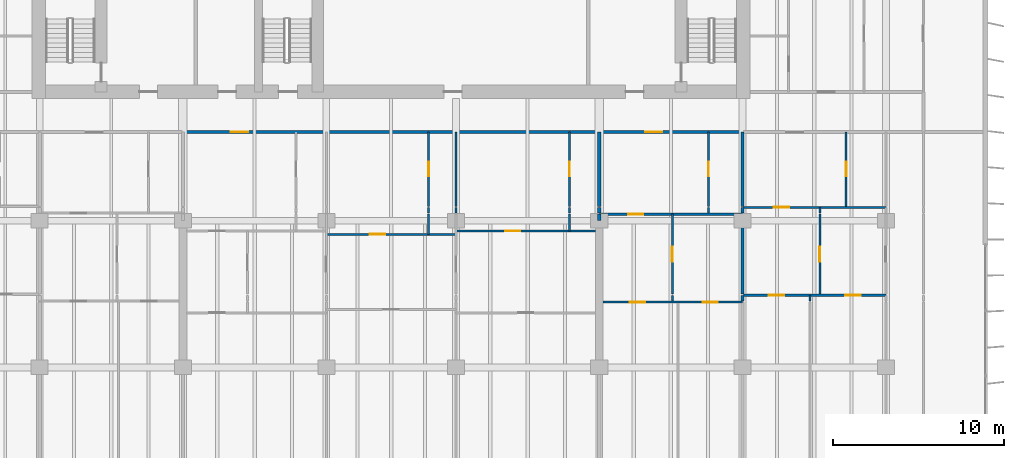
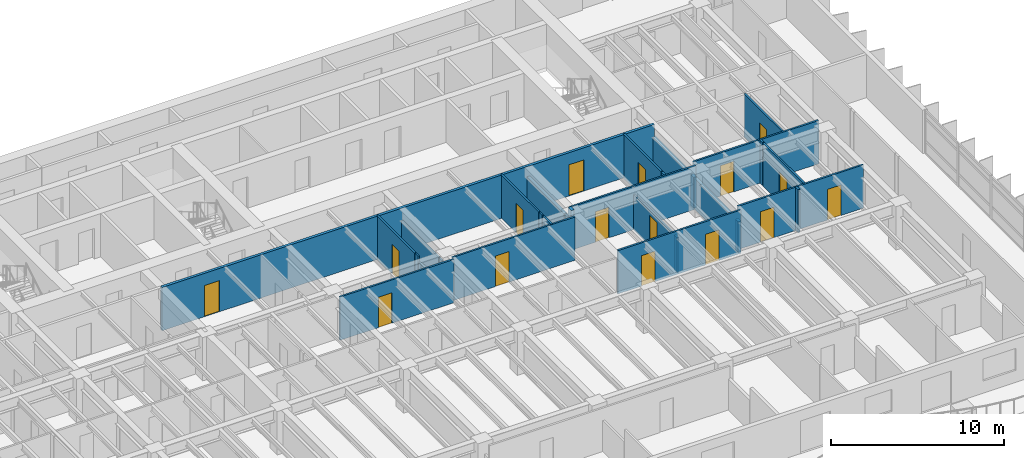
# One storey, part 9 of 17: 30 walls, 16 doors, 16 openings.
"""IFC4 building model written with IfcOpenShell, lengths in metres."""

from ifc_helpers import new_model, si_unit, direction, frame, frame_2d, origin, place, context, subcontext, project, spatial, rectangle, extrude, material, layer, layer_set, type_object, element, fill, save


model = new_model("IFC4")

# Units and contexts
model_context = context("Model", 3, precision=1e-05, world=origin(), true_north=direction((0.0, 1.0)))
body_context = subcontext(model_context, "Body", "Model", "MODEL_VIEW")
ifc_project = project(units=[si_unit("LENGTHUNIT", "METRE"), si_unit("AREAUNIT", "SQUARE_METRE"), si_unit("VOLUMEUNIT", "CUBIC_METRE"), si_unit("PLANEANGLEUNIT", "RADIAN"), si_unit("MASSUNIT", "GRAM", prefix="KILO")], contexts=[model_context])

# Site, building, storey
site_placement = place(None, origin())
site = spatial("IfcSite", under=ifc_project, at=site_placement, CompositionType="ELEMENT")
building_placement = place(site_placement, origin())
building = spatial("IfcBuilding", under=site, at=building_placement, Name="Caelmar Bay Residences", CompositionType="ELEMENT")
storey_placement = place(building_placement, frame((0.0, 0.0, 109.199951171875)))
storey = spatial("IfcBuildingStorey", under=building, at=storey_placement, Name="L29", CompositionType="ELEMENT", Elevation=109.199951171875)

# Wall, openings, doors
ifc_material_1 = material(Name="Double-stud acoustic fire-rated gypsum partition 180 mm")
ifc_layer_1 = layer(ifc_material_1, 0.179931640625)
ifc_layer_set_1 = layer_set([ifc_layer_1], Name="Double-stud acoustic fire-rated gypsum partition 180 mm")
wall_type_1 = type_object("IfcWallType", Name="W-COR-200", PredefinedType="PARTITIONING", material=ifc_layer_set_1)
wall_1_placement = place(storey_placement, frame((26.699951171875, 34.60009765625, 0.0), z_axis=(0.0, 0.0, 1.0), x_axis=(1.0, 0.0, 0.0)))
wall_1 = element("IfcWall", 1, at=wall_1_placement, inside=storey, type_object=wall_type_1, Name="L29 Partition Wall H142", PredefinedType="PARTITIONING", context=body_context, shape_type="SweptSolid", body=[
    extrude(rectangle(XDim=32.800048828125, YDim=0.179931640625, at=frame_2d((16.39990234375, 0.0))), origin(), (0.0, 0.0, 1.0), 3.050048828125),
])
opening_1_placement = place(wall_1_placement, frame((2.81201171875, 0.0, 0.0)))
opening_1 = element("IfcOpeningElement", 2, at=opening_1_placement, cuts=wall_1, Name="Opening D-L29-139", PredefinedType="OPENING", context=body_context, shape_type="SweptSolid", body=[
    extrude(rectangle(XDim=1.0, YDim=2.199951171875, at=frame_2d((0.5, 1.10009765625))), frame((0.0, 0.099853515625, 0.0), z_axis=(0.0, -1.0, 0.0), x_axis=(1.0, 0.0, 0.0)), (0.0, 0.0, 1.0), 0.199951171875),
])
opening_2_placement = place(wall_1_placement, frame((27.10400390625, 0.0, 0.0)))
opening_2 = element("IfcOpeningElement", 3, at=opening_2_placement, cuts=wall_1, Name="Opening D-L29-154", PredefinedType="OPENING", context=body_context, shape_type="SweptSolid", body=[
    extrude(rectangle(XDim=1.0, YDim=2.199951171875, at=frame_2d((0.5, 1.10009765625))), frame((0.0, 0.099853515625, 0.0), z_axis=(0.0, -1.0, 0.0), x_axis=(1.0, 0.0, 0.0)), (0.0, 0.0, 1.0), 0.199951171875),
])
ifc_material_2 = material(Name="Fire-rated steel and walnut architectural door assembly", Category="steel")
ifc_layer_2 = layer(ifc_material_2, 0.050048828125)
ifc_layer_set_2 = layer_set([ifc_layer_2], Name="Fire-rated steel and walnut architectural door assembly")
door_type_1 = type_object("IfcDoorType", Name="D-UNIT-1000", OperationType="NOTDEFINED", PredefinedType="DOOR", material=ifc_layer_set_2)
door_1_placement = place(opening_1_placement, origin())
door_1 = element("IfcDoor", 4, at=door_1_placement, inside=storey, type_object=door_type_1, Name="L29 Residence 03 Apartment Hall Door", OperationType="SINGLE_SWING_LEFT", OverallHeight=2.199951171875, OverallWidth=1.0, PredefinedType="DOOR", context=body_context, shape_type="SweptSolid", body=[
    extrude(rectangle(XDim=1.0, YDim=2.199951171875, at=frame_2d((0.5, 1.10009765625))), frame((0.0, 0.02490234375, 0.0), z_axis=(0.0, -1.0, 0.0), x_axis=(1.0, 0.0, 0.0)), (0.0, 0.0, 1.0), 0.050048828125),
])
fill(opening_1, door_1)
door_2_placement = place(opening_2_placement, origin())
door_2 = element("IfcDoor", 5, at=door_2_placement, inside=storey, type_object=door_type_1, Name="L29 Residence 04 Apartment Hall Door", OperationType="SINGLE_SWING_RIGHT", OverallHeight=2.199951171875, OverallWidth=1.0, PredefinedType="DOOR", context=body_context, shape_type="SweptSolid", body=[
    extrude(rectangle(XDim=1.0, YDim=2.199951171875, at=frame_2d((0.5, 1.10009765625))), frame((0.0, 0.02490234375, 0.0), z_axis=(0.0, -1.0, 0.0), x_axis=(1.0, 0.0, 0.0)), (0.0, 0.0, 1.0), 0.050048828125),
])
fill(opening_2, door_2)

# Walls
ifc_material_3 = material(Name="Acoustic metal-stud gypsum partition 120 mm")
ifc_layer_3 = layer(ifc_material_3, 0.1201171875)
ifc_layer_set_3 = layer_set([ifc_layer_3], Name="Acoustic metal-stud gypsum partition 120 mm")
wall_type_2 = type_object("IfcWallType", Name="W-PRT-120", PredefinedType="PARTITIONING", material=ifc_layer_set_3)
wall_2_placement = place(storey_placement, frame((41.10009765625, 28.60009765625, 0.0), z_axis=(0.0, 0.0, 1.0), x_axis=(0.0, 1.0, 0.0)))
element("IfcWall", 6, at=wall_2_placement, inside=storey, type_object=wall_type_2, Name="L29 Partition Wall V060", PredefinedType="PARTITIONING", context=body_context, shape_type="SweptSolid", body=[
    extrude(rectangle(XDim=1.179931640625, YDim=0.1201171875, at=frame_2d((0.58984375, 0.0))), origin(), (0.0, 0.0, 1.0), 2.678955078125),
])
wall_3_placement = place(storey_placement, frame((41.10009765625, 29.840087890625, 0.0), z_axis=(0.0, 0.0, 1.0), x_axis=(0.0, 1.0, 0.0)))
element("IfcWall", 7, at=wall_3_placement, inside=storey, type_object=wall_type_2, Name="L29 Partition Wall V061", PredefinedType="PARTITIONING", context=body_context, shape_type="SweptSolid", body=[
    extrude(rectangle(XDim=0.33984375, YDim=0.1201171875, at=frame_2d((0.169921875, 0.0))), origin(), (0.0, 0.0, 1.0), 3.050048828125),
])

# Wall, opening, door
wall_4_placement = place(storey_placement, frame((41.10009765625, 30.239990234375, 0.0), z_axis=(0.0, 0.0, 1.0), x_axis=(0.0, 1.0, 0.0)))
wall_4 = element("IfcWall", 8, at=wall_4_placement, inside=storey, type_object=wall_type_2, Name="L29 Partition Wall V062", PredefinedType="PARTITIONING", context=body_context, shape_type="SweptSolid", body=[
    extrude(rectangle(XDim=4.360107421875, YDim=0.1201171875, at=frame_2d((2.18017578125, 0.0))), origin(), (0.0, 0.0, 1.0), 3.050048828125),
])
opening_3_placement = place(wall_4_placement, frame((1.7548828125, 0.0, 0.0)))
opening_3 = element("IfcOpeningElement", 9, at=opening_3_placement, cuts=wall_4, Name="Opening D-L29-146", PredefinedType="OPENING", context=body_context, shape_type="SweptSolid", body=[
    extrude(rectangle(XDim=0.85009765625, YDim=2.10009765625, at=frame_2d((0.425048828125, 1.050048828125))), frame((0.0, 0.070068359375, 0.0), z_axis=(0.0, -1.0, 0.0), x_axis=(1.0, 0.0, 0.0)), (0.0, 0.0, 1.0), 0.14013671875),
])
ifc_material_4 = material(Name="Solid walnut timber interior door leaf and frame", Category="wood")
ifc_layer_4 = layer(ifc_material_4, 0.050048828125)
ifc_layer_set_4 = layer_set([ifc_layer_4], Name="Solid walnut timber interior door leaf and frame")
door_type_2 = type_object("IfcDoorType", Name="D-BATH-850", OperationType="NOTDEFINED", PredefinedType="DOOR", material=ifc_layer_set_4)
door_3_placement = place(opening_3_placement, origin())
door_3 = element("IfcDoor", 10, at=door_3_placement, inside=storey, type_object=door_type_2, Name="L29 Residence 03 En-Suite Bathroom 1 Door", OperationType="SINGLE_SWING_RIGHT", OverallHeight=2.10009765625, OverallWidth=0.85009765625, PredefinedType="DOOR", context=body_context, shape_type="SweptSolid", body=[
    extrude(rectangle(XDim=0.85009765625, YDim=2.10009765625, at=frame_2d((0.425048828125, 1.050048828125))), frame((0.0, 0.02490234375, 0.0), z_axis=(0.0, -1.0, 0.0), x_axis=(1.0, 0.0, 0.0)), (0.0, 0.0, 1.0), 0.050048828125),
])
fill(opening_3, door_3)

# Walls
wall_5_placement = place(storey_placement, frame((42.699951171875, 29.840087890625, 0.0), z_axis=(0.0, 0.0, 1.0), x_axis=(0.0, 1.0, 0.0)))
element("IfcWall", 11, at=wall_5_placement, inside=storey, type_object=wall_type_2, Name="L29 Partition Wall V067", PredefinedType="PARTITIONING", context=body_context, shape_type="SweptSolid", body=[
    extrude(rectangle(XDim=0.33984375, YDim=0.1201171875, at=frame_2d((0.169921875, 0.0))), origin(), (0.0, 0.0, 1.0), 2.174072265625),
])
wall_6_placement = place(storey_placement, frame((42.699951171875, 30.239990234375, 0.0), z_axis=(0.0, 0.0, 1.0), x_axis=(0.0, 1.0, 0.0)))
element("IfcWall", 12, at=wall_6_placement, inside=storey, type_object=wall_type_2, Name="L29 Partition Wall V068", PredefinedType="PARTITIONING", context=body_context, shape_type="SweptSolid", body=[
    extrude(rectangle(XDim=4.360107421875, YDim=0.1201171875, at=frame_2d((2.18017578125, 0.0))), origin(), (0.0, 0.0, 1.0), 2.174072265625),
])
wall_7_placement = place(storey_placement, frame((49.35888671875, 28.800048828125, 0.0), z_axis=(0.0, 0.0, 1.0), x_axis=(0.0, 1.0, 0.0)))
element("IfcWall", 13, at=wall_7_placement, inside=storey, type_object=wall_type_2, Name="L29 Partition Wall V073", PredefinedType="PARTITIONING", context=body_context, shape_type="SweptSolid", body=[
    extrude(rectangle(XDim=0.97998046875, YDim=0.1201171875, at=frame_2d((0.489990234375, 0.0))), origin(), (0.0, 0.0, 1.0), 3.050048828125),
])
wall_8_placement = place(storey_placement, frame((49.35888671875, 29.840087890625, 0.0), z_axis=(0.0, 0.0, 1.0), x_axis=(0.0, 1.0, 0.0)))
element("IfcWall", 14, at=wall_8_placement, inside=storey, type_object=wall_type_2, Name="L29 Partition Wall V074", PredefinedType="PARTITIONING", context=body_context, shape_type="SweptSolid", body=[
    extrude(rectangle(XDim=0.33984375, YDim=0.1201171875, at=frame_2d((0.169921875, 0.0))), origin(), (0.0, 0.0, 1.0), 3.050048828125),
])

# Wall, opening, door
wall_9_placement = place(storey_placement, frame((49.35888671875, 30.239990234375, 0.0), z_axis=(0.0, 0.0, 1.0), x_axis=(0.0, 1.0, 0.0)))
wall_9 = element("IfcWall", 15, at=wall_9_placement, inside=storey, type_object=wall_type_2, Name="L29 Partition Wall V075", PredefinedType="PARTITIONING", context=body_context, shape_type="SweptSolid", body=[
    extrude(rectangle(XDim=4.360107421875, YDim=0.1201171875, at=frame_2d((2.18017578125, 0.0))), origin(), (0.0, 0.0, 1.0), 3.050048828125),
])
opening_4_placement = place(wall_9_placement, frame((1.7548828125, 0.0, 0.0)))
opening_4 = element("IfcOpeningElement", 16, at=opening_4_placement, cuts=wall_9, Name="Opening D-L29-151", PredefinedType="OPENING", context=body_context, shape_type="SweptSolid", body=[
    extrude(rectangle(XDim=0.85009765625, YDim=2.10009765625, at=frame_2d((0.425048828125, 1.050048828125))), frame((0.0, 0.070068359375, 0.0), z_axis=(0.0, -1.0, 0.0), x_axis=(1.0, 0.0, 0.0)), (0.0, 0.0, 1.0), 0.14013671875),
])
door_4_placement = place(opening_4_placement, origin())
door_4 = element("IfcDoor", 17, at=door_4_placement, inside=storey, type_object=door_type_2, Name="L29 Residence 03 En-Suite Bathroom 2 Door", OperationType="SINGLE_SWING_LEFT", OverallHeight=2.10009765625, OverallWidth=0.85009765625, PredefinedType="DOOR", context=body_context, shape_type="SweptSolid", body=[
    extrude(rectangle(XDim=0.85009765625, YDim=2.10009765625, at=frame_2d((0.425048828125, 1.050048828125))), frame((0.0, 0.02490234375, 0.0), z_axis=(0.0, -1.0, 0.0), x_axis=(1.0, 0.0, 0.0)), (0.0, 0.0, 1.0), 0.050048828125),
])
fill(opening_4, door_4)

# Wall
wall_10_placement = place(storey_placement, frame((55.385986328125, 24.68994140625, 0.0), z_axis=(0.0, 0.0, 1.0), x_axis=(0.0, 1.0, 0.0)))
element("IfcWall", 18, at=wall_10_placement, inside=storey, type_object=wall_type_2, Name="L29 Partition Wall V085", PredefinedType="PARTITIONING", context=body_context, shape_type="SweptSolid", body=[
    extrude(rectangle(XDim=0.340087890625, YDim=0.1201171875, at=frame_2d((0.169921875, 0.0))), origin(), (0.0, 0.0, 1.0), 2.486083984375),
])

# Wall, opening, door
wall_11_placement = place(storey_placement, frame((55.385986328125, 25.090087890625, 0.0), z_axis=(0.0, 0.0, 1.0), x_axis=(0.0, 1.0, 0.0)))
wall_11 = element("IfcWall", 19, at=wall_11_placement, inside=storey, type_object=wall_type_2, Name="L29 Partition Wall V086", PredefinedType="PARTITIONING", context=body_context, shape_type="SweptSolid", body=[
    extrude(rectangle(XDim=4.68994140625, YDim=0.1201171875, at=frame_2d((2.344970703125, 0.0))), origin(), (0.0, 0.0, 1.0), 2.486083984375),
])
opening_5_placement = place(wall_11_placement, frame((1.89501953125, 0.0, 0.0)))
opening_5 = element("IfcOpeningElement", 20, at=opening_5_placement, cuts=wall_11, Name="Opening D-L29-157", PredefinedType="OPENING", context=body_context, shape_type="SweptSolid", body=[
    extrude(rectangle(XDim=0.89990234375, YDim=2.14990234375, at=frame_2d((0.449951171875, 1.074951171875))), frame((0.0, 0.070068359375, 0.0), z_axis=(0.0, -1.0, 0.0), x_axis=(1.0, 0.0, 0.0)), (0.0, 0.0, 1.0), 0.14013671875),
])
ifc_layer_5 = layer(ifc_material_4, 0.050048828125)
ifc_layer_set_5 = layer_set([ifc_layer_5], Name="Solid walnut timber interior door leaf and frame")
door_type_3 = type_object("IfcDoorType", Name="D-ROOM-900", OperationType="NOTDEFINED", PredefinedType="DOOR", material=ifc_layer_set_5)
door_5_placement = place(opening_5_placement, origin())
door_5 = element("IfcDoor", 21, at=door_5_placement, inside=storey, type_object=door_type_3, Name="L29 Residence 04 Formal Dining Room Door", OperationType="SINGLE_SWING_LEFT", OverallHeight=2.14990234375, OverallWidth=0.89990234375, PredefinedType="DOOR", context=body_context, shape_type="SweptSolid", body=[
    extrude(rectangle(XDim=0.89990234375, YDim=2.14990234375, at=frame_2d((0.449951171875, 1.074951171875))), frame((0.0, 0.02490234375, 0.0), z_axis=(0.0, -1.0, 0.0), x_axis=(1.0, 0.0, 0.0)), (0.0, 0.0, 1.0), 0.050048828125),
])
fill(opening_5, door_5)

# Wall
wall_12_placement = place(storey_placement, frame((57.508056640625, 29.840087890625, 0.0), z_axis=(0.0, 0.0, 1.0), x_axis=(0.0, 1.0, 0.0)))
element("IfcWall", 22, at=wall_12_placement, inside=storey, type_object=wall_type_2, Name="L29 Partition Wall V090", PredefinedType="PARTITIONING", context=body_context, shape_type="SweptSolid", body=[
    extrude(rectangle(XDim=0.33984375, YDim=0.1201171875, at=frame_2d((0.169921875, 0.0))), origin(), (0.0, 0.0, 1.0), 3.050048828125),
])

# Wall, opening, door
wall_13_placement = place(storey_placement, frame((57.508056640625, 30.239990234375, 0.0), z_axis=(0.0, 0.0, 1.0), x_axis=(0.0, 1.0, 0.0)))
wall_13 = element("IfcWall", 23, at=wall_13_placement, inside=storey, type_object=wall_type_2, Name="L29 Partition Wall V091", PredefinedType="PARTITIONING", context=body_context, shape_type="SweptSolid", body=[
    extrude(rectangle(XDim=4.360107421875, YDim=0.1201171875, at=frame_2d((2.18017578125, 0.0))), origin(), (0.0, 0.0, 1.0), 3.050048828125),
])
opening_6_placement = place(wall_13_placement, frame((1.7548828125, 0.0, 0.0)))
opening_6 = element("IfcOpeningElement", 24, at=opening_6_placement, cuts=wall_13, Name="Opening D-L29-155", PredefinedType="OPENING", context=body_context, shape_type="SweptSolid", body=[
    extrude(rectangle(XDim=0.85009765625, YDim=2.10009765625, at=frame_2d((0.425048828125, 1.050048828125))), frame((0.0, 0.070068359375, 0.0), z_axis=(0.0, -1.0, 0.0), x_axis=(1.0, 0.0, 0.0)), (0.0, 0.0, 1.0), 0.14013671875),
])
door_6_placement = place(opening_6_placement, origin())
door_6 = element("IfcDoor", 25, at=door_6_placement, inside=storey, type_object=door_type_2, Name="L29 Residence 04 Bathroom Door", OperationType="SINGLE_SWING_LEFT", OverallHeight=2.10009765625, OverallWidth=0.85009765625, PredefinedType="DOOR", context=body_context, shape_type="SweptSolid", body=[
    extrude(rectangle(XDim=0.85009765625, YDim=2.10009765625, at=frame_2d((0.425048828125, 1.050048828125))), frame((0.0, 0.02490234375, 0.0), z_axis=(0.0, -1.0, 0.0), x_axis=(1.0, 0.0, 0.0)), (0.0, 0.0, 1.0), 0.050048828125),
])
fill(opening_6, door_6)

# Wall
wall_14_placement = place(storey_placement, frame((63.447998046875, 24.68994140625, 0.0), z_axis=(0.0, 0.0, 1.0), x_axis=(0.0, 1.0, 0.0)))
element("IfcWall", 26, at=wall_14_placement, inside=storey, type_object=wall_type_2, Name="L29 Partition Wall V101", PredefinedType="PARTITIONING", context=body_context, shape_type="SweptSolid", body=[
    extrude(rectangle(XDim=0.340087890625, YDim=0.1201171875, at=frame_2d((0.169921875, 0.0))), origin(), (0.0, 0.0, 1.0), 3.050048828125),
])

# Wall, opening, door
wall_15_placement = place(storey_placement, frame((64.035888671875, 25.090087890625, 0.0), z_axis=(0.0, 0.0, 1.0), x_axis=(0.0, 1.0, 0.0)))
wall_15 = element("IfcWall", 27, at=wall_15_placement, inside=storey, type_object=wall_type_2, Name="L29 Partition Wall V102", PredefinedType="PARTITIONING", context=body_context, shape_type="SweptSolid", body=[
    extrude(rectangle(XDim=4.68994140625, YDim=0.1201171875, at=frame_2d((2.344970703125, 0.0))), origin(), (0.0, 0.0, 1.0), 3.050048828125),
])
opening_7_placement = place(wall_15_placement, frame((1.89501953125, 0.0, 0.0)))
opening_7 = element("IfcOpeningElement", 28, at=opening_7_placement, cuts=wall_15, Name="Opening D-L29-164", PredefinedType="OPENING", context=body_context, shape_type="SweptSolid", body=[
    extrude(rectangle(XDim=0.89990234375, YDim=2.14990234375, at=frame_2d((0.449951171875, 1.074951171875))), frame((0.0, 0.070068359375, 0.0), z_axis=(0.0, -1.0, 0.0), x_axis=(1.0, 0.0, 0.0)), (0.0, 0.0, 1.0), 0.14013671875),
])
door_7_placement = place(opening_7_placement, origin())
door_7 = element("IfcDoor", 29, at=door_7_placement, inside=storey, type_object=door_type_3, Name="L29 Residence 05 Formal Dining Room Door", OperationType="SINGLE_SWING_RIGHT", OverallHeight=2.14990234375, OverallWidth=0.89990234375, PredefinedType="DOOR", context=body_context, shape_type="SweptSolid", body=[
    extrude(rectangle(XDim=0.89990234375, YDim=2.14990234375, at=frame_2d((0.449951171875, 1.074951171875))), frame((0.0, 0.02490234375, 0.0), z_axis=(0.0, -1.0, 0.0), x_axis=(1.0, 0.0, 0.0)), (0.0, 0.0, 1.0), 0.050048828125),
])
fill(opening_7, door_7)

# Wall
wall_16_placement = place(storey_placement, frame((64.035888671875, 29.840087890625, 0.0), z_axis=(0.0, 0.0, 1.0), x_axis=(0.0, 1.0, 0.0)))
element("IfcWall", 30, at=wall_16_placement, inside=storey, type_object=wall_type_2, Name="L29 Partition Wall V103", PredefinedType="PARTITIONING", context=body_context, shape_type="SweptSolid", body=[
    extrude(rectangle(XDim=0.33984375, YDim=0.1201171875, at=frame_2d((0.169921875, 0.0))), origin(), (0.0, 0.0, 1.0), 3.050048828125),
])

# Wall, opening, door
wall_17_placement = place(storey_placement, frame((65.570068359375, 30.239990234375, 0.0), z_axis=(0.0, 0.0, 1.0), x_axis=(0.0, 1.0, 0.0)))
wall_17 = element("IfcWall", 31, at=wall_17_placement, inside=storey, type_object=wall_type_2, Name="L29 Partition Wall V104", PredefinedType="PARTITIONING", context=body_context, shape_type="SweptSolid", body=[
    extrude(rectangle(XDim=4.360107421875, YDim=0.1201171875, at=frame_2d((2.18017578125, 0.0))), origin(), (0.0, 0.0, 1.0), 3.050048828125),
])
opening_8_placement = place(wall_17_placement, frame((1.7548828125, 0.0, 0.0)))
opening_8 = element("IfcOpeningElement", 32, at=opening_8_placement, cuts=wall_17, Name="Opening D-L29-162", PredefinedType="OPENING", context=body_context, shape_type="SweptSolid", body=[
    extrude(rectangle(XDim=0.85009765625, YDim=2.10009765625, at=frame_2d((0.425048828125, 1.050048828125))), frame((0.0, 0.070068359375, 0.0), z_axis=(0.0, -1.0, 0.0), x_axis=(1.0, 0.0, 0.0)), (0.0, 0.0, 1.0), 0.14013671875),
])
door_8_placement = place(opening_8_placement, origin())
door_8 = element("IfcDoor", 33, at=door_8_placement, inside=storey, type_object=door_type_2, Name="L29 Residence 05 Bathroom Door", OperationType="SINGLE_SWING_RIGHT", OverallHeight=2.10009765625, OverallWidth=0.85009765625, PredefinedType="DOOR", context=body_context, shape_type="SweptSolid", body=[
    extrude(rectangle(XDim=0.85009765625, YDim=2.10009765625, at=frame_2d((0.425048828125, 1.050048828125))), frame((0.0, 0.02490234375, 0.0), z_axis=(0.0, -1.0, 0.0), x_axis=(1.0, 0.0, 0.0)), (0.0, 0.0, 1.0), 0.050048828125),
])
fill(opening_8, door_8)

# Wall, openings, doors
wall_18_placement = place(storey_placement, frame((51.320068359375, 24.6298828125, 0.0), z_axis=(0.0, 0.0, 1.0), x_axis=(1.0, 0.0, 0.0)))
wall_18 = element("IfcWall", 34, at=wall_18_placement, inside=storey, type_object=wall_type_2, Name="L29 Partition Wall H128", PredefinedType="PARTITIONING", context=body_context, shape_type="SweptSolid", body=[
    extrude(rectangle(XDim=8.179931640625, YDim=0.1201171875, at=frame_2d((4.08984375, 0.0))), origin(), (0.0, 0.0, 1.0), 3.050048828125),
])
opening_9_placement = place(wall_18_placement, frame((1.5830078125, 0.0, 0.0)))
opening_9 = element("IfcOpeningElement", 35, at=opening_9_placement, cuts=wall_18, Name="Opening D-L29-158", PredefinedType="OPENING", context=body_context, shape_type="SweptSolid", body=[
    extrude(rectangle(XDim=0.89990234375, YDim=2.14990234375, at=frame_2d((0.449951171875, 1.074951171875))), frame((0.0, 0.070068359375, 0.0), z_axis=(0.0, -1.0, 0.0), x_axis=(1.0, 0.0, 0.0)), (0.0, 0.0, 1.0), 0.14013671875),
])
opening_10_placement = place(wall_18_placement, frame((5.840087890625, 0.0, 0.0)))
opening_10 = element("IfcOpeningElement", 36, at=opening_10_placement, cuts=wall_18, Name="Opening D-L29-159", PredefinedType="OPENING", context=body_context, shape_type="SweptSolid", body=[
    extrude(rectangle(XDim=0.89990234375, YDim=2.14990234375, at=frame_2d((0.449951171875, 1.074951171875))), frame((0.0, 0.070068359375, 0.0), z_axis=(0.0, -1.0, 0.0), x_axis=(1.0, 0.0, 0.0)), (0.0, 0.0, 1.0), 0.14013671875),
])
door_9_placement = place(opening_9_placement, origin())
door_9 = element("IfcDoor", 37, at=door_9_placement, inside=storey, type_object=door_type_3, Name="L29 Residence 04 Penthouse Living Salon Door", OperationType="SINGLE_SWING_RIGHT", OverallHeight=2.14990234375, OverallWidth=0.89990234375, PredefinedType="DOOR", context=body_context, shape_type="SweptSolid", body=[
    extrude(rectangle(XDim=0.89990234375, YDim=2.14990234375, at=frame_2d((0.449951171875, 1.074951171875))), frame((0.0, 0.02490234375, 0.0), z_axis=(0.0, -1.0, 0.0), x_axis=(1.0, 0.0, 0.0)), (0.0, 0.0, 1.0), 0.050048828125),
])
fill(opening_9, door_9)
door_10_placement = place(opening_10_placement, origin())
door_10 = element("IfcDoor", 38, at=door_10_placement, inside=storey, type_object=door_type_3, Name="L29 Residence 04 Penthouse Sitting Room Door", OperationType="SINGLE_SWING_LEFT", OverallHeight=2.14990234375, OverallWidth=0.89990234375, PredefinedType="DOOR", context=body_context, shape_type="SweptSolid", body=[
    extrude(rectangle(XDim=0.89990234375, YDim=2.14990234375, at=frame_2d((0.449951171875, 1.074951171875))), frame((0.0, 0.02490234375, 0.0), z_axis=(0.0, -1.0, 0.0), x_axis=(1.0, 0.0, 0.0)), (0.0, 0.0, 1.0), 0.050048828125),
])
fill(opening_10, door_10)

wall_19_placement = place(storey_placement, frame((59.550048828125, 25.030029296875, 0.0), z_axis=(0.0, 0.0, 1.0), x_axis=(1.0, 0.0, 0.0)))
wall_19 = element("IfcWall", 39, at=wall_19_placement, inside=storey, type_object=wall_type_2, Name="L29 Partition Wall H130", PredefinedType="PARTITIONING", context=body_context, shape_type="SweptSolid", body=[
    extrude(rectangle(XDim=8.349853515625, YDim=0.1201171875, at=frame_2d((4.1748046875, 0.0))), origin(), (0.0, 0.0, 1.0), 3.050048828125),
])
opening_11_placement = place(wall_19_placement, frame((1.4990234375, 0.0, 0.0)))
opening_11 = element("IfcOpeningElement", 40, at=opening_11_placement, cuts=wall_19, Name="Opening D-L29-165", PredefinedType="OPENING", context=body_context, shape_type="SweptSolid", body=[
    extrude(rectangle(XDim=0.89990234375, YDim=2.14990234375, at=frame_2d((0.449951171875, 1.074951171875))), frame((0.0, 0.070068359375, 0.0), z_axis=(0.0, -1.0, 0.0), x_axis=(1.0, 0.0, 0.0)), (0.0, 0.0, 1.0), 0.14013671875),
])
opening_12_placement = place(wall_19_placement, frame((5.968017578125, 0.0, 0.0)))
opening_12 = element("IfcOpeningElement", 41, at=opening_12_placement, cuts=wall_19, Name="Opening D-L29-166", PredefinedType="OPENING", context=body_context, shape_type="SweptSolid", body=[
    extrude(rectangle(XDim=0.89990234375, YDim=2.14990234375, at=frame_2d((0.449951171875, 1.074951171875))), frame((0.0, 0.070068359375, 0.0), z_axis=(0.0, -1.0, 0.0), x_axis=(1.0, 0.0, 0.0)), (0.0, 0.0, 1.0), 0.14013671875),
])
door_11_placement = place(opening_11_placement, origin())
door_11 = element("IfcDoor", 42, at=door_11_placement, inside=storey, type_object=door_type_3, Name="L29 Residence 05 Penthouse Living Salon Door", OperationType="SINGLE_SWING_LEFT", OverallHeight=2.14990234375, OverallWidth=0.89990234375, PredefinedType="DOOR", context=body_context, shape_type="SweptSolid", body=[
    extrude(rectangle(XDim=0.89990234375, YDim=2.14990234375, at=frame_2d((0.449951171875, 1.074951171875))), frame((0.0, 0.02490234375, 0.0), z_axis=(0.0, -1.0, 0.0), x_axis=(1.0, 0.0, 0.0)), (0.0, 0.0, 1.0), 0.050048828125),
])
fill(opening_11, door_11)
door_12_placement = place(opening_12_placement, origin())
door_12 = element("IfcDoor", 43, at=door_12_placement, inside=storey, type_object=door_type_3, Name="L29 Residence 05 Penthouse Sitting Room Door", OperationType="SINGLE_SWING_RIGHT", OverallHeight=2.14990234375, OverallWidth=0.89990234375, PredefinedType="DOOR", context=body_context, shape_type="SweptSolid", body=[
    extrude(rectangle(XDim=0.89990234375, YDim=2.14990234375, at=frame_2d((0.449951171875, 1.074951171875))), frame((0.0, 0.02490234375, 0.0), z_axis=(0.0, -1.0, 0.0), x_axis=(1.0, 0.0, 0.0)), (0.0, 0.0, 1.0), 0.050048828125),
])
fill(opening_12, door_12)

# Wall, opening, door
wall_20_placement = place(storey_placement, frame((35.10009765625, 28.60009765625, 0.0), z_axis=(0.0, 0.0, 1.0), x_axis=(1.0, 0.0, 0.0)))
wall_20 = element("IfcWall", 44, at=wall_20_placement, inside=storey, type_object=wall_type_2, Name="L29 Partition Wall H132", PredefinedType="PARTITIONING", context=body_context, shape_type="SweptSolid", body=[
    extrude(rectangle(XDim=7.599853515625, YDim=0.1201171875, at=frame_2d((3.7998046875, 0.0))), origin(), (0.0, 0.0, 1.0), 3.050048828125),
])
opening_13_placement = place(wall_20_placement, frame((2.550048828125, 0.0, 0.0)))
opening_13 = element("IfcOpeningElement", 45, at=opening_13_placement, cuts=wall_20, Name="Opening D-L29-145", PredefinedType="OPENING", context=body_context, shape_type="SweptSolid", body=[
    extrude(rectangle(XDim=0.89990234375, YDim=2.14990234375, at=frame_2d((0.449951171875, 1.074951171875))), frame((0.0, 0.070068359375, 0.0), z_axis=(0.0, -1.0, 0.0), x_axis=(1.0, 0.0, 0.0)), (0.0, 0.0, 1.0), 0.14013671875),
])
door_13_placement = place(opening_13_placement, origin())
door_13 = element("IfcDoor", 46, at=door_13_placement, inside=storey, type_object=door_type_3, Name="L29 Residence 03 Breakfast Dining Room 1 Door", OperationType="SINGLE_SWING_LEFT", OverallHeight=2.14990234375, OverallWidth=0.89990234375, PredefinedType="DOOR", context=body_context, shape_type="SweptSolid", body=[
    extrude(rectangle(XDim=0.89990234375, YDim=2.14990234375, at=frame_2d((0.449951171875, 1.074951171875))), frame((0.0, 0.02490234375, 0.0), z_axis=(0.0, -1.0, 0.0), x_axis=(1.0, 0.0, 0.0)), (0.0, 0.0, 1.0), 0.050048828125),
])
fill(opening_13, door_13)

wall_21_placement = place(storey_placement, frame((42.705078125, 28.800048828125, 0.0), z_axis=(0.0, 0.0, 1.0), x_axis=(1.0, 0.0, 0.0)))
wall_21 = element("IfcWall", 47, at=wall_21_placement, inside=storey, type_object=wall_type_2, Name="L29 Partition Wall H134", PredefinedType="PARTITIONING", context=body_context, shape_type="SweptSolid", body=[
    extrude(rectangle(XDim=8.1748046875, YDim=0.1201171875, at=frame_2d((4.08740234375, 0.0))), origin(), (0.0, 0.0, 1.0), 3.050048828125),
])
opening_14_placement = place(wall_21_placement, frame((2.876953125, 0.0, 0.0)))
opening_14 = element("IfcOpeningElement", 48, at=opening_14_placement, cuts=wall_21, Name="Opening D-L29-150", PredefinedType="OPENING", context=body_context, shape_type="SweptSolid", body=[
    extrude(rectangle(XDim=0.89990234375, YDim=2.14990234375, at=frame_2d((0.449951171875, 1.074951171875))), frame((0.0, 0.070068359375, 0.0), z_axis=(0.0, -1.0, 0.0), x_axis=(1.0, 0.0, 0.0)), (0.0, 0.0, 1.0), 0.14013671875),
])
door_14_placement = place(opening_14_placement, origin())
door_14 = element("IfcDoor", 49, at=door_14_placement, inside=storey, type_object=door_type_3, Name="L29 Residence 03 Breakfast Dining Room 2 Door", OperationType="SINGLE_SWING_RIGHT", OverallHeight=2.14990234375, OverallWidth=0.89990234375, PredefinedType="DOOR", context=body_context, shape_type="SweptSolid", body=[
    extrude(rectangle(XDim=0.89990234375, YDim=2.14990234375, at=frame_2d((0.449951171875, 1.074951171875))), frame((0.0, 0.02490234375, 0.0), z_axis=(0.0, -1.0, 0.0), x_axis=(1.0, 0.0, 0.0)), (0.0, 0.0, 1.0), 0.050048828125),
])
fill(opening_14, door_14)

wall_22_placement = place(storey_placement, frame((51.10009765625, 29.780029296875, 0.0), z_axis=(0.0, 0.0, 1.0), x_axis=(1.0, 0.0, 0.0)))
wall_22 = element("IfcWall", 50, at=wall_22_placement, inside=storey, type_object=wall_type_2, Name="L29 Partition Wall H135", PredefinedType="PARTITIONING", context=body_context, shape_type="SweptSolid", body=[
    extrude(rectangle(XDim=8.39990234375, YDim=0.1201171875, at=frame_2d((4.199951171875, 0.0))), origin(), (0.0, 0.0, 1.0), 3.050048828125),
])
opening_15_placement = place(wall_22_placement, frame((1.693115234375, 0.0, 0.0)))
opening_15 = element("IfcOpeningElement", 51, at=opening_15_placement, cuts=wall_22, Name="Opening D-L29-156", PredefinedType="OPENING", context=body_context, shape_type="SweptSolid", body=[
    extrude(rectangle(XDim=0.89990234375, YDim=2.14990234375, at=frame_2d((0.449951171875, 1.074951171875))), frame((0.0, 0.070068359375, 0.0), z_axis=(0.0, -1.0, 0.0), x_axis=(1.0, 0.0, 0.0)), (0.0, 0.0, 1.0), 0.14013671875),
])
door_15_placement = place(opening_15_placement, origin())
door_15 = element("IfcDoor", 52, at=door_15_placement, inside=storey, type_object=door_type_3, Name="L29 Residence 04 Kitchen Door", OperationType="SINGLE_SWING_RIGHT", OverallHeight=2.14990234375, OverallWidth=0.89990234375, PredefinedType="DOOR", context=body_context, shape_type="SweptSolid", body=[
    extrude(rectangle(XDim=0.89990234375, YDim=2.14990234375, at=frame_2d((0.449951171875, 1.074951171875))), frame((0.0, 0.02490234375, 0.0), z_axis=(0.0, -1.0, 0.0), x_axis=(1.0, 0.0, 0.0)), (0.0, 0.0, 1.0), 0.050048828125),
])
fill(opening_15, door_15)

wall_23_placement = place(storey_placement, frame((59.550048828125, 30.179931640625, 0.0), z_axis=(0.0, 0.0, 1.0), x_axis=(1.0, 0.0, 0.0)))
wall_23 = element("IfcWall", 53, at=wall_23_placement, inside=storey, type_object=wall_type_2, Name="L29 Partition Wall H137", PredefinedType="PARTITIONING", context=body_context, shape_type="SweptSolid", body=[
    extrude(rectangle(XDim=8.349853515625, YDim=0.1201171875, at=frame_2d((4.1748046875, 0.0))), origin(), (0.0, 0.0, 1.0), 3.050048828125),
])
opening_16_placement = place(wall_23_placement, frame((1.79296875, 0.0, 0.0)))
opening_16 = element("IfcOpeningElement", 54, at=opening_16_placement, cuts=wall_23, Name="Opening D-L29-163", PredefinedType="OPENING", context=body_context, shape_type="SweptSolid", body=[
    extrude(rectangle(XDim=0.89990234375, YDim=2.14990234375, at=frame_2d((0.449951171875, 1.074951171875))), frame((0.0, 0.070068359375, 0.0), z_axis=(0.0, -1.0, 0.0), x_axis=(1.0, 0.0, 0.0)), (0.0, 0.0, 1.0), 0.14013671875),
])
door_16_placement = place(opening_16_placement, origin())
door_16 = element("IfcDoor", 55, at=door_16_placement, inside=storey, type_object=door_type_3, Name="L29 Residence 05 Kitchen Door", OperationType="SINGLE_SWING_LEFT", OverallHeight=2.14990234375, OverallWidth=0.89990234375, PredefinedType="DOOR", context=body_context, shape_type="SweptSolid", body=[
    extrude(rectangle(XDim=0.89990234375, YDim=2.14990234375, at=frame_2d((0.449951171875, 1.074951171875))), frame((0.0, 0.02490234375, 0.0), z_axis=(0.0, -1.0, 0.0), x_axis=(1.0, 0.0, 0.0)), (0.0, 0.0, 1.0), 0.050048828125),
])
fill(opening_16, door_16)

# Walls
ifc_material_5 = material(Name="Acoustic twin-stud fire-rated inter-tenancy partition 200 mm")
ifc_layer_6 = layer(ifc_material_5, 0.199951171875)
ifc_layer_set_6 = layer_set([ifc_layer_6], Name="Acoustic twin-stud fire-rated inter-tenancy partition 200 mm")
wall_type_3 = type_object("IfcWallType", Name="W-PTY-200", PredefinedType="PARTITIONING", material=ifc_layer_set_6)
wall_24_placement = place(storey_placement, frame((51.10009765625, 29.405029296875, 0.0), z_axis=(0.0, 0.0, 1.0), x_axis=(0.0, 1.0, 0.0)))
element("IfcWall", 56, at=wall_24_placement, inside=storey, type_object=wall_type_3, Name="L29 Partition Wall V080", PredefinedType="PARTITIONING", context=body_context, shape_type="SweptSolid", body=[
    extrude(rectangle(XDim=0.375, YDim=0.199951171875, at=frame_2d((0.1875, 0.0))), origin(), (0.0, 0.0, 1.0), 3.050048828125),
])
wall_25_placement = place(storey_placement, frame((51.10009765625, 29.840087890625, 0.0), z_axis=(0.0, 0.0, 1.0), x_axis=(0.0, 1.0, 0.0)))
element("IfcWall", 57, at=wall_25_placement, inside=storey, type_object=wall_type_3, Name="L29 Partition Wall V081", PredefinedType="PARTITIONING", context=body_context, shape_type="SweptSolid", body=[
    extrude(rectangle(XDim=0.33984375, YDim=0.199951171875, at=frame_2d((0.169921875, 0.0))), origin(), (0.0, 0.0, 1.0), 2.3349609375),
])
wall_26_placement = place(storey_placement, frame((51.10009765625, 30.239990234375, 0.0), z_axis=(0.0, 0.0, 1.0), x_axis=(0.0, 1.0, 0.0)))
element("IfcWall", 58, at=wall_26_placement, inside=storey, type_object=wall_type_3, Name="L29 Partition Wall V082", PredefinedType="PARTITIONING", context=body_context, shape_type="SweptSolid", body=[
    extrude(rectangle(XDim=4.360107421875, YDim=0.199951171875, at=frame_2d((2.18017578125, 0.0))), origin(), (0.0, 0.0, 1.0), 2.3349609375),
])
wall_27_placement = place(storey_placement, frame((59.5, 24.68994140625, 0.0), z_axis=(0.0, 0.0, 1.0), x_axis=(0.0, 1.0, 0.0)))
element("IfcWall", 59, at=wall_27_placement, inside=storey, type_object=wall_type_3, Name="L29 Partition Wall V094", PredefinedType="PARTITIONING", context=body_context, shape_type="SweptSolid", body=[
    extrude(rectangle(XDim=0.340087890625, YDim=0.199951171875, at=frame_2d((0.169921875, 0.0))), origin(), (0.0, 0.0, 1.0), 2.174072265625),
])
wall_28_placement = place(storey_placement, frame((59.5, 25.090087890625, 0.0), z_axis=(0.0, 0.0, 1.0), x_axis=(0.0, 1.0, 0.0)))
element("IfcWall", 60, at=wall_28_placement, inside=storey, type_object=wall_type_3, Name="L29 Partition Wall V095", PredefinedType="PARTITIONING", context=body_context, shape_type="SweptSolid", body=[
    extrude(rectangle(XDim=4.68994140625, YDim=0.199951171875, at=frame_2d((2.344970703125, 0.0))), origin(), (0.0, 0.0, 1.0), 2.174072265625),
])
wall_29_placement = place(storey_placement, frame((59.5, 29.840087890625, 0.0), z_axis=(0.0, 0.0, 1.0), x_axis=(0.0, 1.0, 0.0)))
element("IfcWall", 61, at=wall_29_placement, inside=storey, type_object=wall_type_3, Name="L29 Partition Wall V096", PredefinedType="PARTITIONING", context=body_context, shape_type="SweptSolid", body=[
    extrude(rectangle(XDim=0.33984375, YDim=0.199951171875, at=frame_2d((0.169921875, 0.0))), origin(), (0.0, 0.0, 1.0), 2.174072265625),
])
wall_30_placement = place(storey_placement, frame((59.5, 30.239990234375, 0.0), z_axis=(0.0, 0.0, 1.0), x_axis=(0.0, 1.0, 0.0)))
element("IfcWall", 62, at=wall_30_placement, inside=storey, type_object=wall_type_3, Name="L29 Partition Wall V097", PredefinedType="PARTITIONING", context=body_context, shape_type="SweptSolid", body=[
    extrude(rectangle(XDim=4.360107421875, YDim=0.199951171875, at=frame_2d((2.18017578125, 0.0))), origin(), (0.0, 0.0, 1.0), 2.174072265625),
])

save(model, "model.ifc")
